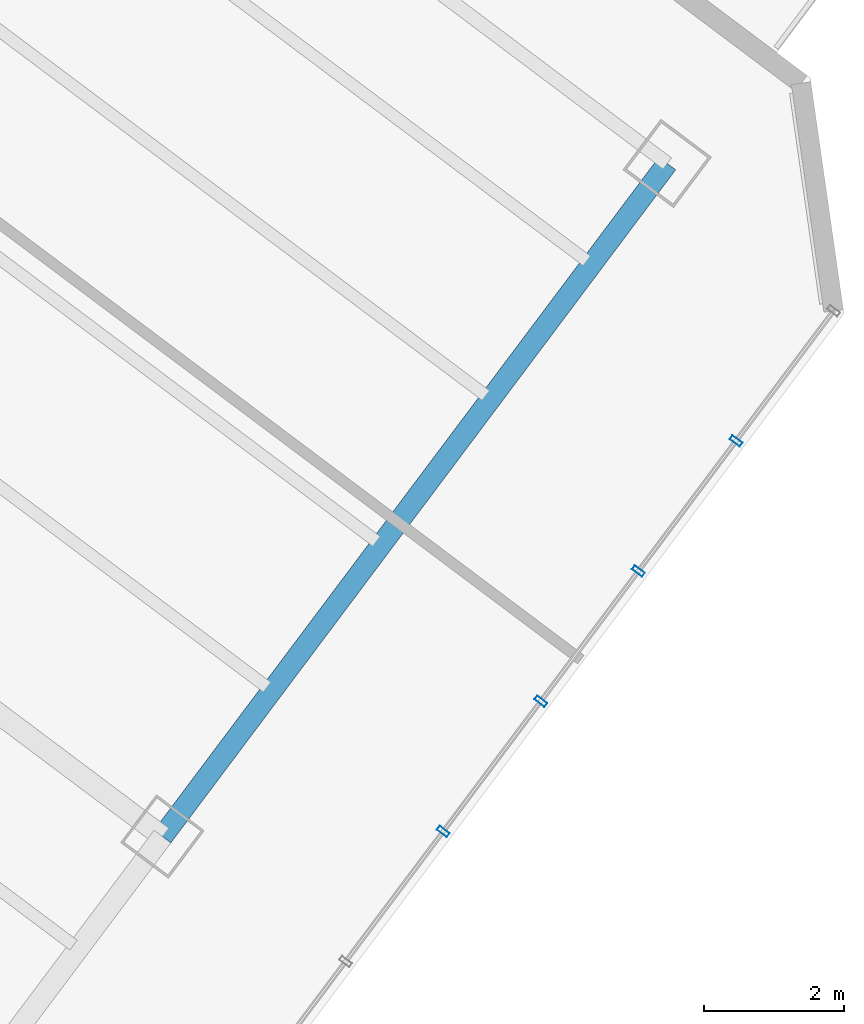
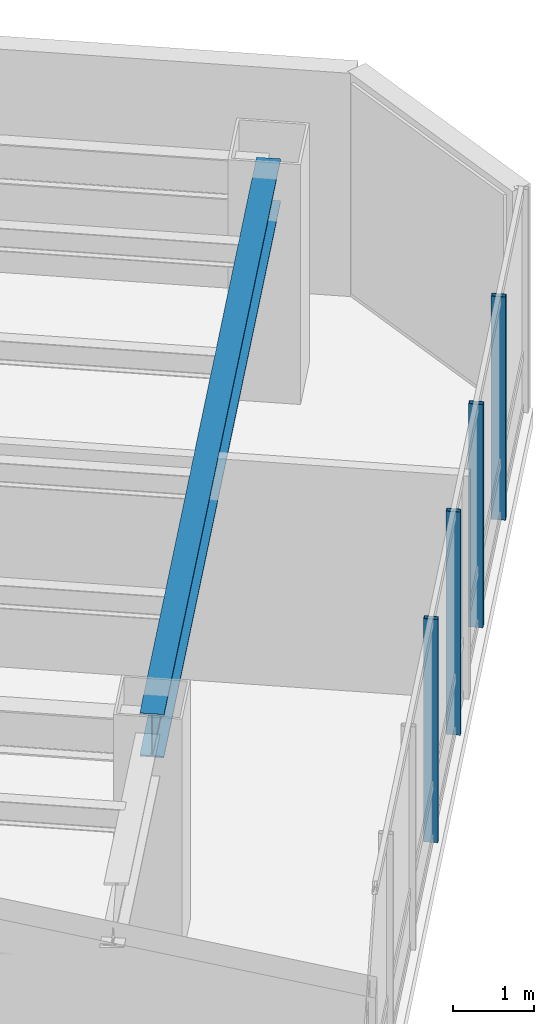
# One storey, part 10 of 29: 4 members, 1 beam, 1 element without a shape of its own.
"""IFC4 building model written with IfcOpenShell, lengths in metres."""

import ifcopenshell
import ifcopenshell.guid

model = None  # the IFC model being written
_history = None  # IfcOwnerHistory: only IFC2X3 demands one
_inside = {}  # id of a spatial element -> (the spatial element, [elements in it])
_under = {}  # id of a project, library or spatial element -> (it, [spatial elements below it])
_declared = {}  # id of a project -> (the project, [libraries it declares])
_typed = {}  # id of a type object -> (the type object, [elements of that type])
_made_of = {}  # id of a material, layer set ... -> (it, [elements and type objects made of it])


def new_model(schema):
    """Start an empty IFC model of exactly this schema.

    Asked for "IFC4X3", IfcOpenShell would pick the latest addendum, in which some entities
    have other attributes; the version numbers below select the first issue.
    IFC2X3 requires an IfcOwnerHistory on every rooted entity: one is made here for all.
    """
    global model, _history
    if schema == "IFC4X3":
        model = ifcopenshell.file(schema_version=(4, 3, 0, 0))
    else:
        model = ifcopenshell.file(schema=schema)
    _inside.clear()
    _under.clear()
    _declared.clear()
    _typed.clear()
    _made_of.clear()
    _history = None
    if model.schema == "IFC2X3":
        org = make("IfcOrganization", Name="unknown")
        user = make(
            "IfcPersonAndOrganization",
            ThePerson=make("IfcPerson", FamilyName="unknown"),
            TheOrganization=org,
        )
        app = make(
            "IfcApplication",
            ApplicationDeveloper=org,
            Version="unknown",
            ApplicationFullName="unknown",
            ApplicationIdentifier="unknown",
        )
        _history = make(
            "IfcOwnerHistory",
            OwningUser=user,
            OwningApplication=app,
            ChangeAction="ADDED",
            CreationDate=0,
        )
    return model


def make(cls, **values):
    """One entity of the class cls with the attributes given. An attribute that is None is left unset."""
    return model.create_entity(
        cls, **{name: value for name, value in values.items() if value is not None}
    )


def rooted(cls, **values):
    """An entity with a GlobalId (a new one), such as an element, a storey or a relation."""
    return make(cls, GlobalId=ifcopenshell.guid.new(), OwnerHistory=_history, **values)


def si_unit(unit_type, name, prefix=None):
    """IfcSIUnit, for example si_unit("LENGTHUNIT", "METRE", prefix="MILLI")."""
    return make("IfcSIUnit", UnitType=unit_type, Prefix=prefix, Name=name)


def assignment(units):
    """IfcUnitAssignment: the units of a project."""
    return None if units is None else make("IfcUnitAssignment", Units=units)


def point(xyz):
    """IfcCartesianPoint."""
    return None if xyz is None else make("IfcCartesianPoint", Coordinates=xyz)


def direction(xyz):
    """IfcDirection."""
    return None if xyz is None else make("IfcDirection", DirectionRatios=xyz)


def frame(location, z_axis=None, x_axis=None):
    """IfcAxis2Placement3D, a coordinate frame: its origin and axes. An axis left out is left unset."""
    return make(
        "IfcAxis2Placement3D",
        Location=point(location),
        Axis=direction(z_axis),
        RefDirection=direction(x_axis),
    )


def frame_2d(location, x_axis=None):
    """IfcAxis2Placement2D, a coordinate frame in the plane: its origin and x axis."""
    return make(
        "IfcAxis2Placement2D", Location=point(location), RefDirection=direction(x_axis)
    )


def origin():
    """The frame at (0, 0, 0) with its axes left unset."""
    return frame((0.0, 0.0, 0.0))


def origin_2d():
    """The frame at (0, 0) in the plane with its x axis left unset."""
    return frame_2d((0.0, 0.0))


def place(relative_to, where):
    """IfcLocalPlacement: puts the frame where relative to a parent placement (None: the world)."""
    return make(
        "IfcLocalPlacement", PlacementRelTo=relative_to, RelativePlacement=where
    )


def context(
    kind, dimensions, precision=None, world=None, true_north=None, identifier=None
):
    """IfcGeometricRepresentationContext, for example the 3D "Model" context."""
    return make(
        "IfcGeometricRepresentationContext",
        ContextIdentifier=identifier,
        ContextType=kind,
        CoordinateSpaceDimension=dimensions,
        Precision=precision,
        WorldCoordinateSystem=world,
        TrueNorth=true_north,
    )


def subcontext(parent, identifier, kind, view, scale=None):
    """IfcGeometricRepresentationSubContext, for example "Body" below "Model"."""
    return make(
        "IfcGeometricRepresentationSubContext",
        ContextIdentifier=identifier,
        ContextType=kind,
        ParentContext=parent,
        TargetScale=scale,
        TargetView=view,
    )


def project(units=None, contexts=None):
    """IfcProject with its units and contexts."""
    return rooted(
        "IfcProject",
        Name="project",
        RepresentationContexts=contexts,
        UnitsInContext=assignment(units),
    )


def spatial(cls, under=None, at=None, **own):
    """A site, building, storey or space (cls), placed at a placement, below another one or the project."""
    s = rooted(cls, ObjectPlacement=at, **own)
    if under is not None:
        _under.setdefault(under.id(), (under, []))[1].append(s)
    return s


def profile(cls, at=None, kind="AREA", **sizes):
    """A parametric profile (cls). Its sizes go by their IFC names, for example OverallWidth=200.0."""
    return make(cls, ProfileType=kind, Position=at, **sizes)


def hollow_rectangle(**sizes):
    """IfcRectangleHollowProfileDef."""
    return profile("IfcRectangleHollowProfileDef", **sizes)


def i_section(**sizes):
    """IfcIShapeProfileDef."""
    return profile("IfcIShapeProfileDef", **sizes)


def extrude(swept, where, along, depth):
    """IfcExtrudedAreaSolid: the profile swept, set in the frame where, extruded along a direction by depth."""
    return make(
        "IfcExtrudedAreaSolid",
        SweptArea=swept,
        Position=where,
        ExtrudedDirection=direction(along),
        Depth=depth,
    )


def shape(context_of_items, identifier, shape_type, items):
    """IfcShapeRepresentation: the items that make up one representation, for example the "Body"."""
    return make(
        "IfcShapeRepresentation",
        ContextOfItems=context_of_items,
        RepresentationIdentifier=identifier,
        RepresentationType=shape_type,
        Items=items,
    )


def material(Name=None, Category=None):
    """IfcMaterial."""
    return make("IfcMaterial", Name=Name, Category=Category)


def layer(
    of_material, thickness, ventilated=None, Name=None, Category=None, Priority=None
):
    """IfcMaterialLayer: one layer of a wall or slab, of a material (None: an air gap)."""
    return make(
        "IfcMaterialLayer",
        Material=of_material,
        LayerThickness=thickness,
        IsVentilated=ventilated,
        Name=Name,
        Category=Category,
        Priority=Priority,
    )


def layer_set(layers, Name=None):
    """IfcMaterialLayerSet."""
    return make("IfcMaterialLayerSet", MaterialLayers=layers, LayerSetName=Name)


def material_profile(
    of_material, cross_section, Name=None, Category=None, Priority=None
):
    """IfcMaterialProfile: a cross section and its material."""
    return make(
        "IfcMaterialProfile",
        Name=Name,
        Material=of_material,
        Profile=cross_section,
        Priority=Priority,
        Category=Category,
    )


def profile_set(profiles, Name=None, composite=None):
    """IfcMaterialProfileSet."""
    return make(
        "IfcMaterialProfileSet",
        Name=Name,
        MaterialProfiles=profiles,
        CompositeProfile=composite,
    )


def made_of(thing, what):
    """Note that an element or type object is made of a material, layer set ...; save() writes the relation."""
    if what is not None:
        _made_of.setdefault(what.id(), (what, []))[1].append(thing)
    return thing


def type_object(cls, material=None, **own):
    """A type object (cls), such as IfcWallType, which elements share."""
    return made_of(rooted(cls, **own), material)


def element(
    cls,
    number,
    at=None,
    inside=None,
    cuts=None,
    type_object=None,
    material=None,
    context=None,
    identifier="Body",
    shape_type=None,
    held_by="IfcProductDefinitionShape",
    body=None,
    shapes=None,
    **own,
):
    """One element of the class cls, such as IfcWall. Its Tag is "e" and its number.

    at: its placement. inside: the storey or other place that contains it. cuts: it is an
    opening in that element (IfcRelVoidsElement). A single representation is given by context,
    identifier, shape_type and body (its items); several are given by shapes. held_by: the class
    of the entity that holds the representations. save() writes the other relations.
    """
    e = rooted(cls, Tag="e%d" % number, ObjectPlacement=at, **own)
    if body is not None:
        shapes = [shape(context, identifier, shape_type, body)]
    if shapes is not None:
        e.Representation = make(held_by, Representations=shapes)
    if inside is not None:
        _inside.setdefault(inside.id(), (inside, []))[1].append(e)
    if cuts is not None:
        rooted(
            "IfcRelVoidsElement", RelatingBuildingElement=cuts, RelatedOpeningElement=e
        )
    if type_object is not None:
        _typed.setdefault(type_object.id(), (type_object, []))[1].append(e)
    return made_of(e, material)


def aggregate(whole, parts):
    """IfcRelAggregates: a whole, such as a stair, and the parts it consists of."""
    return rooted("IfcRelAggregates", RelatingObject=whole, RelatedObjects=parts)


def save(model, path):
    """Write the relations noted so far, then the file.

    IfcRelAggregates (storeys below a building ...), IfcRelContainedInSpatialStructure (elements
    in a storey), IfcRelDefinesByType, IfcRelAssociatesMaterial and IfcRelDeclares: one each for
    every whole, place, type object, material and project.
    """
    for whole, parts in _under.values():
        aggregate(whole, parts)
    for where, things in _inside.values():
        rooted(
            "IfcRelContainedInSpatialStructure",
            RelatedElements=things,
            RelatingStructure=where,
        )
    for kind, things in _typed.values():
        rooted("IfcRelDefinesByType", RelatedObjects=things, RelatingType=kind)
    for what, things in _made_of.values():
        rooted("IfcRelAssociatesMaterial", RelatedObjects=things, RelatingMaterial=what)
    for by, libraries in _declared.values():
        rooted("IfcRelDeclares", RelatingContext=by, RelatedDefinitions=libraries)
    model.write(path)


model = new_model("IFC4")

# Units and contexts
model_context = context("Model", 3, precision=1e-05, world=origin(), true_north=direction((0.0, 1.0)))
body_context = subcontext(model_context, "Body", "Model", "MODEL_VIEW")
ifc_project = project(units=[si_unit("LENGTHUNIT", "METRE"), si_unit("AREAUNIT", "SQUARE_METRE"), si_unit("VOLUMEUNIT", "CUBIC_METRE"), si_unit("PLANEANGLEUNIT", "RADIAN"), si_unit("MASSUNIT", "GRAM", prefix="KILO")], contexts=[model_context])

# Site, building, storey
site_placement = place(None, origin())
site = spatial("IfcSite", under=ifc_project, at=site_placement, CompositionType="ELEMENT")
building_placement = place(site_placement, origin())
building = spatial("IfcBuilding", under=site, at=building_placement, Name="Hatsunagi Terrace Concourse", CompositionType="ELEMENT")
storey_placement = place(building_placement, frame((0.0, 0.0, 119.25)))
storey = spatial("IfcBuildingStorey", under=building, at=storey_placement, Name="L31", CompositionType="ELEMENT", Elevation=119.25)

# Curtain wall, members
ifc_material_1 = material(Name="Anodised Aluminium Alloy 6063-T5", Category="aluminium")
ifc_layer = layer(ifc_material_1, 0.199951171875)
ifc_layer_set = layer_set([ifc_layer], Name="OfficeZone1_CW03")
curtain_wall_type = type_object("IfcCurtainWallType", Name="OfficeZone1_CW03", PredefinedType="NOTDEFINED", material=ifc_layer_set)
curtain_wall_placement = place(storey_placement, origin())
curtain_wall = element("IfcCurtainWall", 1, at=curtain_wall_placement, inside=storey, type_object=curtain_wall_type, Name="Unitised Curtain Wall CW-03 CW-L31-03", PredefinedType="NOTDEFINED")
ifc_material_2 = material(Name="Anodised Aluminium Alloy 6063-T5", Category="aluminium")
ifc_material_profile_1 = material_profile(ifc_material_2, hollow_rectangle(XDim=0.070068359375, YDim=0.179931640625, WallThickness=0.00390625, at=origin_2d()), Name="ALU-MUL-180x70x4")
ifc_profile_set_1 = profile_set([ifc_material_profile_1], Name="Anodised Aluminium Alloy 6063-T5")
member_type = type_object("IfcMemberType", Name="CurtainWallMullion_180x70", PredefinedType="MULLION", material=ifc_profile_set_1)
member_1_placement = place(storey_placement, frame((67.700927734375, 17.802001953125, 0.0), z_axis=(0.0, 0.0, 1.0), x_axis=(-0.599969314634, -0.800023013105, 0.0)))
member_1 = element("IfcMember", 2, at=member_1_placement, type_object=member_type, Name="Curtain Wall Mullion MUL-02", PredefinedType="MULLION", context=body_context, shape_type="SweptSolid", body=[
    extrude(hollow_rectangle(XDim=0.070068359375, YDim=0.179931640625, WallThickness=0.00390625, at=origin_2d()), origin(), (0.0, 0.0, 1.0), 3.35009765625),
])
member_2_placement = place(storey_placement, frame((66.30908203125, 15.945068359375, 0.0), z_axis=(0.0, 0.0, 1.0), x_axis=(-0.599969314634, -0.800023013105, 0.0)))
member_2 = element("IfcMember", 3, at=member_2_placement, type_object=member_type, Name="Curtain Wall Mullion MUL-02", PredefinedType="MULLION", context=body_context, shape_type="SweptSolid", body=[
    extrude(hollow_rectangle(XDim=0.070068359375, YDim=0.179931640625, WallThickness=0.00390625, at=origin_2d()), origin(), (0.0, 0.0, 1.0), 3.35009765625),
])
member_3_placement = place(storey_placement, frame((64.916015625, 14.089111328125, 0.0), z_axis=(0.0, 0.0, 1.0), x_axis=(-0.599969314634, -0.800023013105, 0.0)))
member_3 = element("IfcMember", 4, at=member_3_placement, type_object=member_type, Name="Curtain Wall Mullion MUL-02", PredefinedType="MULLION", context=body_context, shape_type="SweptSolid", body=[
    extrude(hollow_rectangle(XDim=0.070068359375, YDim=0.179931640625, WallThickness=0.00390625, at=origin_2d()), origin(), (0.0, 0.0, 1.0), 3.35009765625),
])
member_4_placement = place(storey_placement, frame((63.52392578125, 12.23193359375, 0.0), z_axis=(0.0, 0.0, 1.0), x_axis=(-0.599969314634, -0.800023013105, 0.0)))
member_4 = element("IfcMember", 5, at=member_4_placement, type_object=member_type, Name="Curtain Wall Mullion MUL-02", PredefinedType="MULLION", context=body_context, shape_type="SweptSolid", body=[
    extrude(hollow_rectangle(XDim=0.070068359375, YDim=0.179931640625, WallThickness=0.00390625, at=origin_2d()), origin(), (0.0, 0.0, 1.0), 3.35009765625),
])
aggregate(curtain_wall, [member_1, member_2, member_3, member_4])

# Beam
ifc_material_3 = material(Name="Steel SN490B", Category="steel")
ifc_material_profile_2 = material_profile(ifc_material_3, i_section(OverallWidth=0.300048828125, OverallDepth=0.64990234375, WebThickness=0.012939453125, FlangeThickness=0.02197265625, FilletRadius=0.01806640625, at=origin_2d()), Name="H-650x300x13x22")
ifc_profile_set_2 = profile_set([ifc_material_profile_2], Name="Steel SN490B")
beam_type = type_object("IfcBeamType", Name="OfficeLowGirder_H_650x300", PredefinedType="BEAM", material=ifc_profile_set_2)
beam_placement = place(storey_placement, frame((59.52001953125, 12.159912109375, 3.02490234375), z_axis=(0.59999348959, 0.800004882766, 0.0), x_axis=(-0.800004882766, 0.59999348959, 0.0)))
element("IfcBeam", 6, at=beam_placement, inside=storey, type_object=beam_type, Name="Beam G-05 BM-L31-SET-3B", PredefinedType="BEAM", context=body_context, shape_type="SweptSolid", body=[
    extrude(i_section(OverallWidth=0.300048828125, OverallDepth=0.64990234375, WebThickness=0.012939453125, FlangeThickness=0.02197265625, FilletRadius=0.01806640625, at=origin_2d()), origin(), (0.0, 0.0, 1.0), 12.0),
])

save(model, "model.ifc")
